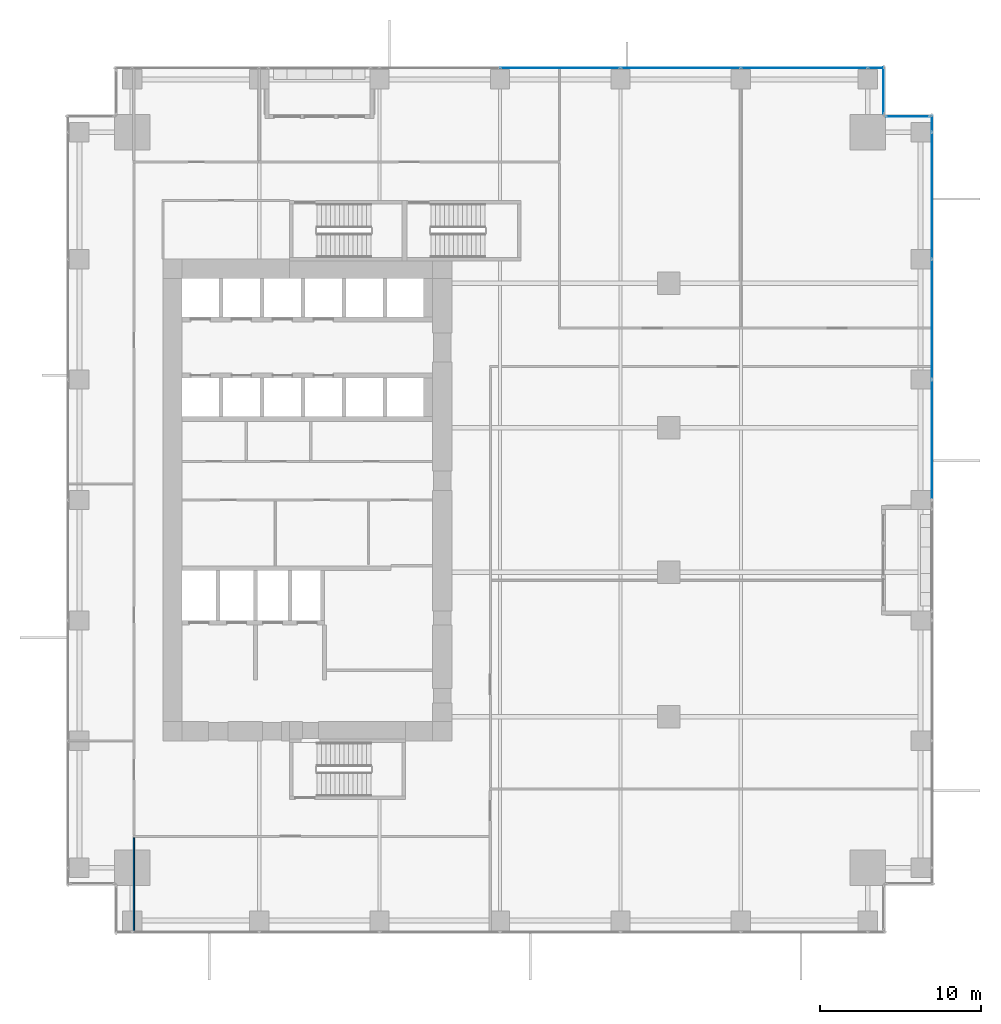
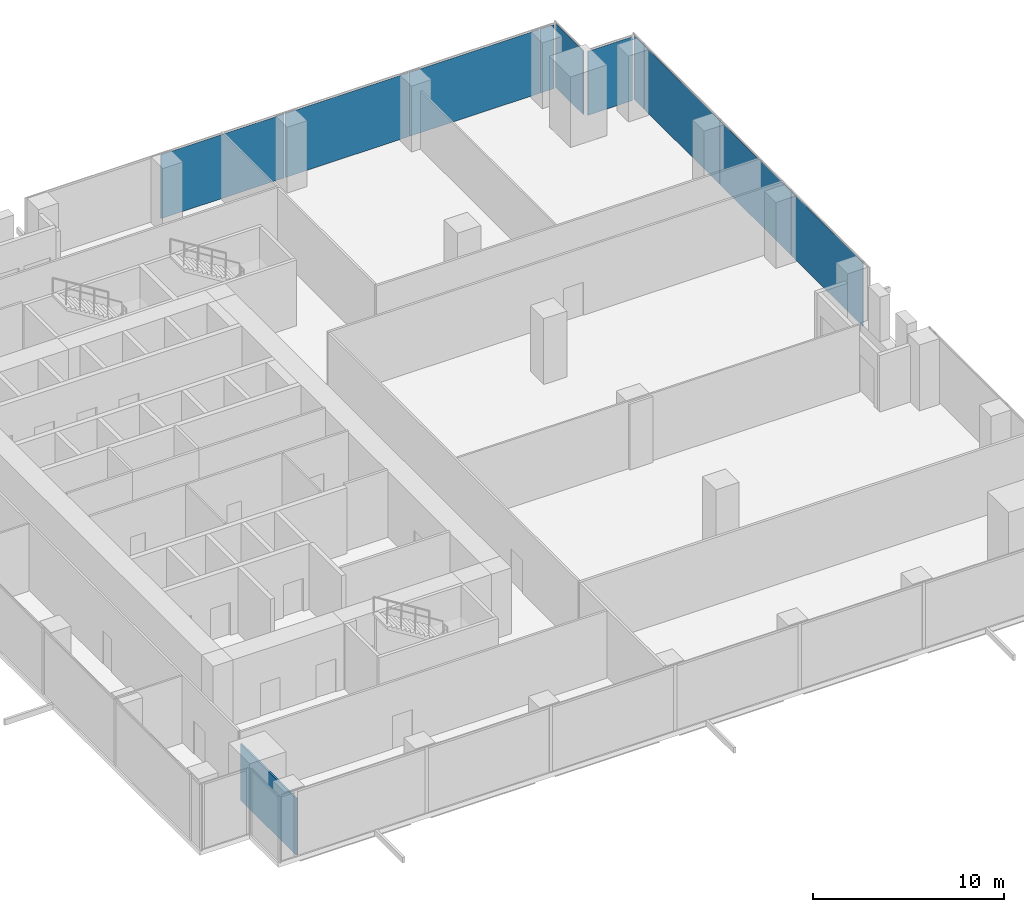
# One storey, part 26 of 33: 10 plates, 1 wall, 4 elements without a shape of their own.
"""IFC4 building model written with IfcOpenShell, lengths in metres."""

from ifc_helpers import new_model, si_unit, direction, frame, frame_2d, origin, origin_2d, place, context, subcontext, project, spatial, rectangle, extrude, source, transform, mapped, material, layer, layer_set, type_object, element, aggregate, save


model = new_model("IFC4")

# Units and contexts
model_context = context("Model", 3, precision=1e-05, world=origin(), true_north=direction((0.0, 1.0)))
body_context = subcontext(model_context, "Body", "Model", "MODEL_VIEW")
ifc_project = project(units=[si_unit("LENGTHUNIT", "METRE"), si_unit("AREAUNIT", "SQUARE_METRE"), si_unit("VOLUMEUNIT", "CUBIC_METRE"), si_unit("PLANEANGLEUNIT", "RADIAN"), si_unit("MASSUNIT", "GRAM", prefix="KILO")], contexts=[model_context])

# Site, building, storey
site_placement = place(None, origin())
site = spatial("IfcSite", under=ifc_project, at=site_placement, CompositionType="ELEMENT")
building_placement = place(site_placement, origin())
building = spatial("IfcBuilding", under=site, at=building_placement, Name="Khomas Fold Tower", CompositionType="ELEMENT")
storey_placement = place(building_placement, frame((0.0, 0.0, 78.0)))
storey = spatial("IfcBuildingStorey", under=building, at=storey_placement, Name="L16", CompositionType="ELEMENT", Elevation=78.0)

# Curtain wall, plate
ifc_material_1 = material(Name="Aluminium framed double glazing", Category="aluminium")
curtain_wall_type = type_object("IfcCurtainWallType", Name="SK-Unitised clear-glass wall, growing floors CW1", PredefinedType="NOTDEFINED", material=ifc_material_1)
curtain_wall_1_placement = place(storey_placement, origin())
curtain_wall_1 = element("IfcCurtainWall", 1, at=curtain_wall_1_placement, inside=storey, type_object=curtain_wall_type, Name="CW1 run L16 06-0", PredefinedType="NOTDEFINED")
ifc_material_2 = material(Name="Clear double glazed unit")
ifc_layer_1 = layer(ifc_material_2, 0.031982421875)
ifc_layer_set_1 = layer_set([ifc_layer_1], Name="Clear double glazed unit")
plate_type = type_object("IfcPlateType", Name="SK-Unitised clear-glass wall, growing floors glass panel CW1-P", PredefinedType="CURTAIN_PANEL", material=ifc_layer_set_1)
shared_shape_1 = source(origin(), body_context, "Body", "SweptSolid", [
    extrude(rectangle(XDim=0.81005859375, YDim=0.031982421875, at=origin_2d()), origin(), (0.0, 0.0, 1.0), 4.080078125),
])
plate_1_placement = place(storey_placement, frame((50.3349609375, 53.89990234375, 0.0), z_axis=(0.0, 0.0, 1.0), x_axis=(-1.0, 0.0, 0.0)))
plate_1 = element("IfcPlate", 2, at=plate_1_placement, type_object=plate_type, Name="CW1 glass panel 1", PredefinedType="CURTAIN_PANEL", context=body_context, shape_type="MappedRepresentation", body=[
    mapped(shared_shape_1, transform((0.0, 0.0, 0.0))),
])

curtain_wall_2_placement = place(storey_placement, origin())
curtain_wall_2 = element("IfcCurtainWall", 3, at=curtain_wall_2_placement, inside=storey, type_object=curtain_wall_type, Name="CW1 run L16 03-1", PredefinedType="NOTDEFINED")
shared_shape_2 = source(origin(), body_context, "Body", "SweptSolid", [
    extrude(rectangle(XDim=7.840087890625, YDim=0.031982421875, at=origin_2d()), origin(), (0.0, 0.0, 1.0), 4.080078125),
])
plate_2_placement = place(storey_placement, frame((53.89990234375, 45.949951171875, 0.0), z_axis=(0.0, 0.0, 1.0), x_axis=(0.0, 1.0, 0.0)))
plate_2 = element("IfcPlate", 4, at=plate_2_placement, type_object=plate_type, Name="CW1 glass panel 4", PredefinedType="CURTAIN_PANEL", context=body_context, shape_type="MappedRepresentation", body=[
    mapped(shared_shape_2, transform((0.0, 0.0, 0.0))),
])

# Plate
plate_3_placement = place(storey_placement, frame((45.949951171875, 53.89990234375, 0.0), z_axis=(0.0, 0.0, 1.0), x_axis=(-1.0, 0.0, 0.0)))
plate_3 = element("IfcPlate", 5, at=plate_3_placement, type_object=plate_type, Name="CW1 glass panel 2", PredefinedType="CURTAIN_PANEL", context=body_context, shape_type="MappedRepresentation", body=[
    mapped(shared_shape_2, transform((0.0, 0.0, 0.0))),
])

shared_shape_3 = source(origin(), body_context, "Body", "SweptSolid", [
    extrude(rectangle(XDim=7.43994140625, YDim=0.031982421875, at=origin_2d()), origin(), (0.0, 0.0, 1.0), 4.080078125),
])
plate_4_placement = place(storey_placement, frame((53.89990234375, 30.75, 0.0), z_axis=(0.0, 0.0, 1.0), x_axis=(0.0, 1.0, 0.0)))
plate_4 = element("IfcPlate", 6, at=plate_4_placement, type_object=plate_type, Name="CW1 glass panel 2", PredefinedType="CURTAIN_PANEL", context=body_context, shape_type="MappedRepresentation", body=[
    mapped(shared_shape_3, transform((0.0, 0.0, 0.0))),
])

plate_5_placement = place(storey_placement, frame((53.89990234375, 38.25, 0.0), z_axis=(0.0, 0.0, 1.0), x_axis=(0.0, 1.0, 0.0)))
plate_5 = element("IfcPlate", 7, at=plate_5_placement, type_object=plate_type, Name="CW1 glass panel 3", PredefinedType="CURTAIN_PANEL", context=body_context, shape_type="MappedRepresentation", body=[
    mapped(shared_shape_3, transform((0.0, 0.0, 0.0))),
])

plate_6_placement = place(storey_placement, frame((38.25, 53.89990234375, 0.0), z_axis=(0.0, 0.0, 1.0), x_axis=(-1.0, 0.0, 0.0)))
plate_6 = element("IfcPlate", 8, at=plate_6_placement, type_object=plate_type, Name="CW1 glass panel 3", PredefinedType="CURTAIN_PANEL", context=body_context, shape_type="MappedRepresentation", body=[
    mapped(shared_shape_3, transform((0.0, 0.0, 0.0))),
])

plate_7_placement = place(storey_placement, frame((30.75, 53.89990234375, 0.0), z_axis=(0.0, 0.0, 1.0), x_axis=(-1.0, 0.0, 0.0)))
plate_7 = element("IfcPlate", 9, at=plate_7_placement, type_object=plate_type, Name="CW1 glass panel 4", PredefinedType="CURTAIN_PANEL", context=body_context, shape_type="MappedRepresentation", body=[
    mapped(shared_shape_3, transform((0.0, 0.0, 0.0))),
])

aggregate(curtain_wall_1, [plate_1, plate_3, plate_6, plate_7])

shared_shape_4 = source(origin(), body_context, "Body", "SweptSolid", [
    extrude(rectangle(XDim=1.010009765625, YDim=0.031982421875, at=origin_2d()), origin(), (0.0, 0.0, 1.0), 4.080078125),
])
plate_8_placement = place(storey_placement, frame((53.89990234375, 50.43505859375, 0.0), z_axis=(0.0, 0.0, 1.0), x_axis=(0.0, 1.0, 0.0)))
plate_8 = element("IfcPlate", 10, at=plate_8_placement, type_object=plate_type, Name="CW1 glass panel 5", PredefinedType="CURTAIN_PANEL", context=body_context, shape_type="MappedRepresentation", body=[
    mapped(shared_shape_4, transform((0.0, 0.0, 0.0))),
])

aggregate(curtain_wall_2, [plate_4, plate_5, plate_2, plate_8])

# Curtain wall, plate
curtain_wall_3_placement = place(storey_placement, origin())
curtain_wall_3 = element("IfcCurtainWall", 11, at=curtain_wall_3_placement, inside=storey, type_object=curtain_wall_type, Name="CW1 corner return L16 04", PredefinedType="NOTDEFINED")
shared_shape_5 = source(origin(), body_context, "Body", "SweptSolid", [
    extrude(rectangle(XDim=2.679931640625, YDim=0.031982421875, at=origin_2d()), origin(), (0.0, 0.0, 1.0), 4.080078125),
])
plate_9_placement = place(storey_placement, frame((52.39990234375, 50.89990234375, 0.0), z_axis=(0.0, 0.0, 1.0), x_axis=(-1.0, 0.0, 0.0)))
plate_9 = element("IfcPlate", 12, at=plate_9_placement, type_object=plate_type, Name="CW1 glass panel 1", PredefinedType="CURTAIN_PANEL", context=body_context, shape_type="MappedRepresentation", body=[
    mapped(shared_shape_5, transform((0.0, 0.0, 0.0))),
])
aggregate(curtain_wall_3, [plate_9])

curtain_wall_4_placement = place(storey_placement, origin())
curtain_wall_4 = element("IfcCurtainWall", 13, at=curtain_wall_4_placement, inside=storey, type_object=curtain_wall_type, Name="CW1 corner return L16 05", PredefinedType="NOTDEFINED")
shared_shape_6 = source(origin(), body_context, "Body", "SweptSolid", [
    extrude(rectangle(XDim=2.8798828125, YDim=0.031982421875, at=origin_2d()), origin(), (0.0, 0.0, 1.0), 4.080078125),
])
plate_10_placement = place(storey_placement, frame((50.89990234375, 52.5, 0.0), z_axis=(0.0, 0.0, 1.0), x_axis=(0.0, 1.0, 0.0)))
plate_10 = element("IfcPlate", 14, at=plate_10_placement, type_object=plate_type, Name="CW1 glass panel 1", PredefinedType="CURTAIN_PANEL", context=body_context, shape_type="MappedRepresentation", body=[
    mapped(shared_shape_6, transform((0.0, 0.0, 0.0))),
])
aggregate(curtain_wall_4, [plate_10])

# Wall
ifc_material_3 = material(Name="Plasterboard partition")
ifc_layer_2 = layer(ifc_material_3, 0.10009765625)
ifc_layer_set_2 = layer_set([ifc_layer_2], Name="Plasterboard partition")
wall_type = type_object("IfcWallType", Name="Partition PW1 100", PredefinedType="PARTITIONING", material=ifc_layer_set_2)
shared_shape_7 = source(origin(), body_context, "Body", "SweptSolid", [
    extrude(rectangle(XDim=5.800048828125, YDim=0.10009765625, at=frame_2d((2.89990234375, 0.0))), origin(), (0.0, 0.0, 1.0), 3.60009765625),
])
wall_placement = place(storey_placement, frame((4.199951171875, 0.14990234375, 0.0), z_axis=(0.0, 0.0, 1.0), x_axis=(0.0, 1.0, 0.0)))
element("IfcWall", 15, at=wall_placement, inside=storey, type_object=wall_type, Name="Partition", PredefinedType="PARTITIONING", context=body_context, shape_type="MappedRepresentation", body=[
    mapped(shared_shape_7, transform((0.0, 0.0, 0.0))),
])

save(model, "model.ifc")
